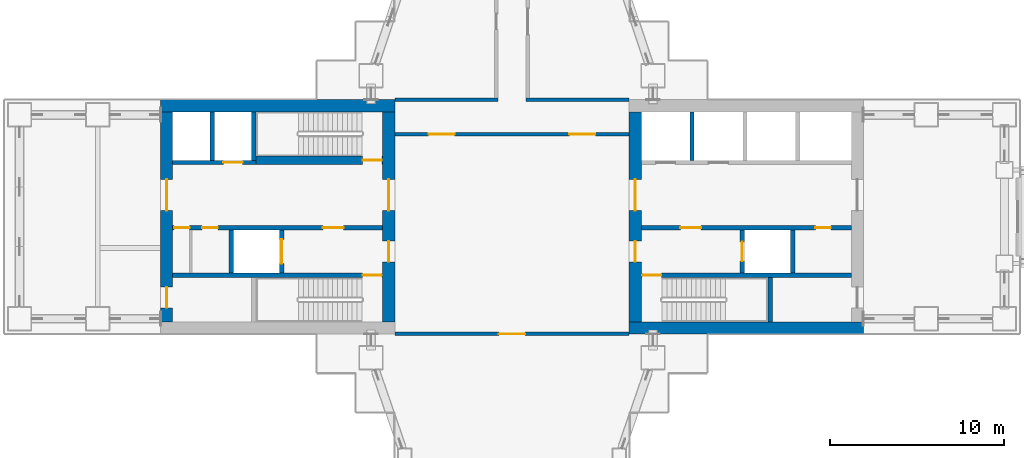
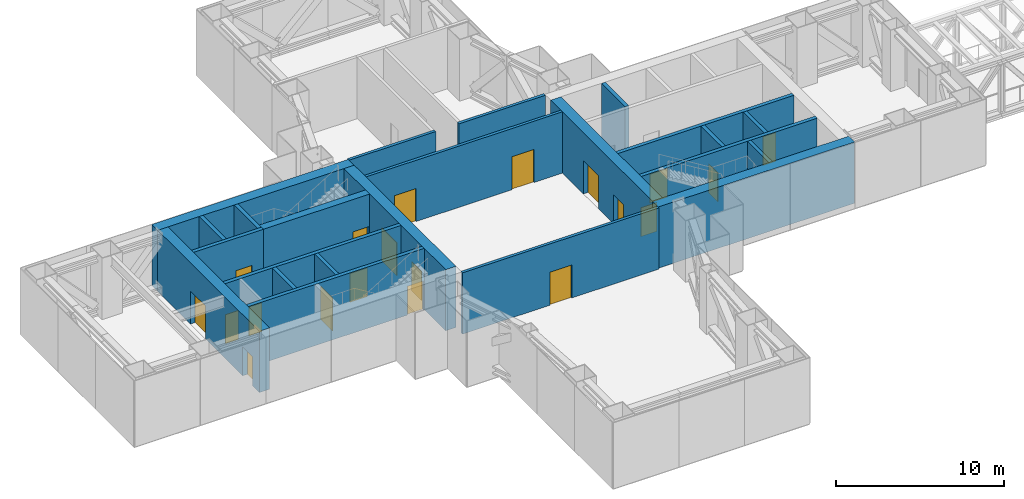
# One storey, part 11 of 23: 23 walls, 20 doors, 20 openings.
"""IFC4 building model written with IfcOpenShell, lengths in metres."""

from ifc_helpers import new_model, si_unit, direction, frame, frame_2d, origin, place, context, subcontext, project, spatial, rectangle, extrude, material, layer, layer_set, type_object, element, fill, save


model = new_model("IFC4")

# Units and contexts
model_context = context("Model", 3, precision=1e-05, world=origin(), true_north=direction((0.0, 1.0)))
body_context = subcontext(model_context, "Body", "Model", "MODEL_VIEW")
ifc_project = project(units=[si_unit("LENGTHUNIT", "METRE"), si_unit("AREAUNIT", "SQUARE_METRE"), si_unit("VOLUMEUNIT", "CUBIC_METRE"), si_unit("PLANEANGLEUNIT", "RADIAN"), si_unit("MASSUNIT", "GRAM", prefix="KILO")], contexts=[model_context])

# Site, building, storey
site_placement = place(None, origin())
site = spatial("IfcSite", under=ifc_project, at=site_placement, CompositionType="ELEMENT")
building_placement = place(site_placement, origin())
building = spatial("IfcBuilding", under=site, at=building_placement, Name="Shamsa Quay Exchange Towers", CompositionType="ELEMENT")
storey_placement = place(building_placement, frame((0.0, 0.0, 77.10009765625)))
storey = spatial("IfcBuildingStorey", under=building, at=storey_placement, Name="L17", CompositionType="ELEMENT", Elevation=77.10009765625)

# Wall
ifc_material_1 = material(Name="Concrete C80/95", Category="concrete")
ifc_layer_1 = layer(ifc_material_1, 0.699951171875)
ifc_layer_set_1 = layer_set([ifc_layer_1], Name="CORE WALL 700 C80/95")
wall_type_1 = type_object("IfcWallType", Name="CORE WALL 700 C80/95", PredefinedType="SHEAR", material=ifc_layer_set_1)
wall_1_placement = place(storey_placement, frame((-27.0, -6.39990234375, 0.0)))
element("IfcWall", 1, at=wall_1_placement, inside=storey, type_object=wall_type_1, Name="Core wall T1A-L17-PS", PredefinedType="SHEAR", context=body_context, shape_type="SweptSolid", body=[
    extrude(rectangle(XDim=13.5, YDim=0.699951171875, at=frame_2d((6.75, 0.0))), origin(), (0.0, 0.0, 1.0), 4.449951171875),
])

# Wall, openings, doors
wall_2_placement = place(storey_placement, frame((-26.64990234375, 6.050048828125, 0.0), z_axis=(0.0, 0.0, 1.0), x_axis=(0.0, -1.0, 0.0)))
wall_2 = element("IfcWall", 2, at=wall_2_placement, inside=storey, type_object=wall_type_1, Name="Core wall T1A-L17-PF", PredefinedType="SHEAR", context=body_context, shape_type="SweptSolid", body=[
    extrude(rectangle(XDim=12.10009765625, YDim=0.699951171875, at=frame_2d((6.050048828125, 0.0))), origin(), (0.0, 0.0, 1.0), 4.449951171875),
])
opening_1_placement = place(wall_2_placement, frame((7.449951171875, 0.0, 0.0)))
opening_1 = element("IfcOpeningElement", 3, at=opening_1_placement, cuts=wall_2, Name="Opening T1A-L17-FD01", PredefinedType="OPENING", context=body_context, shape_type="SweptSolid", body=[
    extrude(rectangle(XDim=1.199951171875, YDim=2.10009765625, at=frame_2d((0.60009765625, 1.050048828125))), frame((0.0, 0.35986328125, 0.0), z_axis=(0.0, -1.0, 0.0), x_axis=(1.0, 0.0, 0.0)), (0.0, 0.0, 1.0), 0.719970703125),
])
opening_2_placement = place(wall_2_placement, frame((3.89990234375, 0.0, 0.0)))
opening_2 = element("IfcOpeningElement", 4, at=opening_2_placement, cuts=wall_2, Name="Opening T1A-L17-LBD02", PredefinedType="OPENING", context=body_context, shape_type="SweptSolid", body=[
    extrude(rectangle(XDim=1.800048828125, YDim=2.39990234375, at=frame_2d((0.89990234375, 1.199951171875))), frame((0.0, 0.35986328125, 0.0), z_axis=(0.0, -1.0, 0.0), x_axis=(1.0, 0.0, 0.0)), (0.0, 0.0, 1.0), 0.719970703125),
])
ifc_material_2 = material(Name="Steel, fire rated", Category="steel")
door_type_1 = type_object("IfcDoorType", Name="FIRE SERVICE LOBBY DOOR 1200", OperationType="SINGLE_SWING_LEFT", PredefinedType="DOOR", material=ifc_material_2)
door_1_placement = place(opening_1_placement, origin())
door_1 = element("IfcDoor", 5, at=door_1_placement, inside=storey, type_object=door_type_1, Name="T1A-L17-FD01", OperationType="SINGLE_SWING_RIGHT", OverallHeight=2.10009765625, OverallWidth=1.199951171875, PredefinedType="DOOR", context=body_context, shape_type="SweptSolid", body=[
    extrude(rectangle(XDim=1.199951171875, YDim=2.10009765625, at=frame_2d((0.60009765625, 1.050048828125))), frame((0.0, 0.02490234375, 0.0), z_axis=(0.0, -1.0, 0.0), x_axis=(1.0, 0.0, 0.0)), (0.0, 0.0, 1.0), 0.050048828125),
])
fill(opening_1, door_1)
door_type_2 = type_object("IfcDoorType", Name="LIFT LOBBY DOOR PAIR 1800", OperationType="DOUBLE_DOOR_SINGLE_SWING", PredefinedType="DOOR", material=ifc_material_2)
door_2_placement = place(opening_2_placement, origin())
door_2 = element("IfcDoor", 6, at=door_2_placement, inside=storey, type_object=door_type_2, Name="T1A-L17-LBD02", OperationType="DOUBLE_DOOR_SINGLE_SWING", OverallHeight=2.39990234375, OverallWidth=1.800048828125, PredefinedType="DOOR", context=body_context, shape_type="SweptSolid", body=[
    extrude(rectangle(XDim=1.800048828125, YDim=2.39990234375, at=frame_2d((0.89990234375, 1.199951171875))), frame((0.0, 0.02490234375, 0.0), z_axis=(0.0, -1.0, 0.0), x_axis=(1.0, 0.0, 0.0)), (0.0, 0.0, 1.0), 0.050048828125),
])
fill(opening_2, door_2)

# Wall
wall_3_placement = place(storey_placement, frame((-40.5, 6.39990234375, 0.0), z_axis=(0.0, 0.0, 1.0), x_axis=(-1.0, 0.0, 0.0)))
element("IfcWall", 7, at=wall_3_placement, inside=storey, type_object=wall_type_1, Name="Core wall T1B-L17-PN", PredefinedType="SHEAR", context=body_context, shape_type="SweptSolid", body=[
    extrude(rectangle(XDim=13.5, YDim=0.699951171875, at=frame_2d((6.75, 0.0))), origin(), (0.0, 0.0, 1.0), 4.449951171875),
])

# Wall, openings, doors
wall_4_placement = place(storey_placement, frame((-40.85009765625, -6.050048828125, 0.0), z_axis=(0.0, 0.0, 1.0), x_axis=(0.0, 1.0, 0.0)))
wall_4 = element("IfcWall", 8, at=wall_4_placement, inside=storey, type_object=wall_type_1, Name="Core wall T1B-L17-PF", PredefinedType="SHEAR", context=body_context, shape_type="SweptSolid", body=[
    extrude(rectangle(XDim=12.10009765625, YDim=0.699951171875, at=frame_2d((6.050048828125, 0.0))), origin(), (0.0, 0.0, 1.0), 4.449951171875),
])
opening_3_placement = place(wall_4_placement, frame((3.449951171875, 0.0, 0.0)))
opening_3 = element("IfcOpeningElement", 9, at=opening_3_placement, cuts=wall_4, Name="Opening T1B-L17-FD01", PredefinedType="OPENING", context=body_context, shape_type="SweptSolid", body=[
    extrude(rectangle(XDim=1.199951171875, YDim=2.10009765625, at=frame_2d((0.60009765625, 1.050048828125))), frame((0.0, 0.35986328125, 0.0), z_axis=(0.0, -1.0, 0.0), x_axis=(1.0, 0.0, 0.0)), (0.0, 0.0, 1.0), 0.719970703125),
])
opening_4_placement = place(wall_4_placement, frame((6.39990234375, 0.0, 0.0)))
opening_4 = element("IfcOpeningElement", 10, at=opening_4_placement, cuts=wall_4, Name="Opening T1B-L17-LBD02", PredefinedType="OPENING", context=body_context, shape_type="SweptSolid", body=[
    extrude(rectangle(XDim=1.800048828125, YDim=2.39990234375, at=frame_2d((0.89990234375, 1.199951171875))), frame((0.0, 0.35986328125, 0.0), z_axis=(0.0, -1.0, 0.0), x_axis=(1.0, 0.0, 0.0)), (0.0, 0.0, 1.0), 0.719970703125),
])
door_3_placement = place(opening_3_placement, origin())
door_3 = element("IfcDoor", 11, at=door_3_placement, inside=storey, type_object=door_type_1, Name="T1B-L17-FD01", OperationType="SINGLE_SWING_LEFT", OverallHeight=2.10009765625, OverallWidth=1.199951171875, PredefinedType="DOOR", context=body_context, shape_type="SweptSolid", body=[
    extrude(rectangle(XDim=1.199951171875, YDim=2.10009765625, at=frame_2d((0.60009765625, 1.050048828125))), frame((0.0, 0.02490234375, 0.0), z_axis=(0.0, -1.0, 0.0), x_axis=(1.0, 0.0, 0.0)), (0.0, 0.0, 1.0), 0.050048828125),
])
fill(opening_3, door_3)
door_4_placement = place(opening_4_placement, origin())
door_4 = element("IfcDoor", 12, at=door_4_placement, inside=storey, type_object=door_type_2, Name="T1B-L17-LBD02", OperationType="DOUBLE_DOOR_SINGLE_SWING", OverallHeight=2.39990234375, OverallWidth=1.800048828125, PredefinedType="DOOR", context=body_context, shape_type="SweptSolid", body=[
    extrude(rectangle(XDim=1.800048828125, YDim=2.39990234375, at=frame_2d((0.89990234375, 1.199951171875))), frame((0.0, 0.02490234375, 0.0), z_axis=(0.0, -1.0, 0.0), x_axis=(1.0, 0.0, 0.0)), (0.0, 0.0, 1.0), 0.050048828125),
])
fill(opening_4, door_4)

wall_5_placement = place(storey_placement, frame((-53.64990234375, -6.050048828125, 0.0), z_axis=(0.0, 0.0, 1.0), x_axis=(0.0, 1.0, 0.0)))
wall_5 = element("IfcWall", 13, at=wall_5_placement, inside=storey, type_object=wall_type_1, Name="Core wall T1B-L17-PB", PredefinedType="SHEAR", context=body_context, shape_type="SweptSolid", body=[
    extrude(rectangle(XDim=12.10009765625, YDim=0.699951171875, at=frame_2d((6.050048828125, 0.0))), origin(), (0.0, 0.0, 1.0), 4.449951171875),
])
opening_5_placement = place(wall_5_placement, frame((0.800048828125, 0.0, 0.0)))
opening_5 = element("IfcOpeningElement", 14, at=opening_5_placement, cuts=wall_5, Name="Opening T1B-L17-RD03", PredefinedType="OPENING", context=body_context, shape_type="SweptSolid", body=[
    extrude(rectangle(XDim=1.199951171875, YDim=2.10009765625, at=frame_2d((0.60009765625, 1.050048828125))), frame((0.0, 0.35986328125, 0.0), z_axis=(0.0, -1.0, 0.0), x_axis=(1.0, 0.0, 0.0)), (0.0, 0.0, 1.0), 0.719970703125),
])
opening_6_placement = place(wall_5_placement, frame((6.39990234375, 0.0, 0.0)))
opening_6 = element("IfcOpeningElement", 15, at=opening_6_placement, cuts=wall_5, Name="Opening T1B-L17-LBD04", PredefinedType="OPENING", context=body_context, shape_type="SweptSolid", body=[
    extrude(rectangle(XDim=1.800048828125, YDim=2.39990234375, at=frame_2d((0.89990234375, 1.199951171875))), frame((0.0, 0.35986328125, 0.0), z_axis=(0.0, -1.0, 0.0), x_axis=(1.0, 0.0, 0.0)), (0.0, 0.0, 1.0), 0.719970703125),
])
door_5_placement = place(opening_6_placement, origin())
door_5 = element("IfcDoor", 16, at=door_5_placement, inside=storey, type_object=door_type_2, Name="T1B-L17-LBD04", OperationType="DOUBLE_DOOR_SINGLE_SWING", OverallHeight=2.39990234375, OverallWidth=1.800048828125, PredefinedType="DOOR", context=body_context, shape_type="SweptSolid", body=[
    extrude(rectangle(XDim=1.800048828125, YDim=2.39990234375, at=frame_2d((0.89990234375, 1.199951171875))), frame((0.0, 0.02490234375, 0.0), z_axis=(0.0, -1.0, 0.0), x_axis=(1.0, 0.0, 0.0)), (0.0, 0.0, 1.0), 0.050048828125),
])
fill(opening_6, door_5)
door_type_3 = type_object("IfcDoorType", Name="RISER ACCESS DOOR 1200", OperationType="SINGLE_SWING_LEFT", PredefinedType="DOOR", material=ifc_material_2)
door_6_placement = place(opening_5_placement, origin())
door_6 = element("IfcDoor", 17, at=door_6_placement, inside=storey, type_object=door_type_3, Name="T1B-L17-RD03", OperationType="SINGLE_SWING_LEFT", OverallHeight=2.10009765625, OverallWidth=1.199951171875, PredefinedType="DOOR", context=body_context, shape_type="SweptSolid", body=[
    extrude(rectangle(XDim=1.199951171875, YDim=2.10009765625, at=frame_2d((0.60009765625, 1.050048828125))), frame((0.0, 0.02490234375, 0.0), z_axis=(0.0, -1.0, 0.0), x_axis=(1.0, 0.0, 0.0)), (0.0, 0.0, 1.0), 0.050048828125),
])
fill(opening_5, door_6)

ifc_material_3 = material(Name="Gypsum board partition on metal studs")
ifc_layer_2 = layer(ifc_material_3, 0.199951171875)
ifc_layer_set_2 = layer_set([ifc_layer_2], Name="Partition 200 mm EI 120")
wall_type_2 = type_object("IfcWallType", Name="Partition 200 mm EI 120", PredefinedType="PARTITIONING", material=ifc_layer_set_2)
wall_6_placement = place(storey_placement, frame((-40.5, 4.75, 0.0)))
wall_6 = element("IfcWall", 18, at=wall_6_placement, inside=storey, type_object=wall_type_2, Name="Partition T1-L17-W01", PredefinedType="PARTITIONING", context=body_context, shape_type="SweptSolid", body=[
    extrude(rectangle(XDim=13.5, YDim=0.199951171875, at=frame_2d((6.75, 0.0))), origin(), (0.0, 0.0, 1.0), 4.449951171875),
])
opening_7_placement = place(wall_6_placement, frame((1.949951171875, 0.0, 0.0)))
opening_7 = element("IfcOpeningElement", 19, at=opening_7_placement, cuts=wall_6, Name="Opening T1-L17-D02", PredefinedType="OPENING", context=body_context, shape_type="SweptSolid", body=[
    extrude(rectangle(XDim=1.5, YDim=2.39990234375, at=frame_2d((0.75, 1.199951171875))), frame((0.0, 0.10986328125, 0.0), z_axis=(0.0, -1.0, 0.0), x_axis=(1.0, 0.0, 0.0)), (0.0, 0.0, 1.0), 0.219970703125),
])
opening_8_placement = place(wall_6_placement, frame((10.050048828125, 0.0, 0.0)))
opening_8 = element("IfcOpeningElement", 20, at=opening_8_placement, cuts=wall_6, Name="Opening T1-L17-D03", PredefinedType="OPENING", context=body_context, shape_type="SweptSolid", body=[
    extrude(rectangle(XDim=1.5, YDim=2.39990234375, at=frame_2d((0.75, 1.199951171875))), frame((0.0, 0.10986328125, 0.0), z_axis=(0.0, -1.0, 0.0), x_axis=(1.0, 0.0, 0.0)), (0.0, 0.0, 1.0), 0.219970703125),
])
ifc_material_4 = material(Name="Timber door leaf in a metal frame", Category="wood")
door_type_4 = type_object("IfcDoorType", Name="Door 1500x2400 FD60 pair", OperationType="NOTDEFINED", PredefinedType="DOOR", material=ifc_material_4)
door_7_placement = place(opening_7_placement, origin())
door_7 = element("IfcDoor", 21, at=door_7_placement, inside=storey, type_object=door_type_4, Name="Door T1-L17-D02", OperationType="DOUBLE_DOOR_SINGLE_SWING", OverallHeight=2.39990234375, OverallWidth=1.5, PredefinedType="DOOR", context=body_context, shape_type="SweptSolid", body=[
    extrude(rectangle(XDim=1.5, YDim=2.39990234375, at=frame_2d((0.75, 1.199951171875))), frame((0.0, 0.02490234375, 0.0), z_axis=(0.0, -1.0, 0.0), x_axis=(1.0, 0.0, 0.0)), (0.0, 0.0, 1.0), 0.050048828125),
])
fill(opening_7, door_7)
door_8_placement = place(opening_8_placement, origin())
door_8 = element("IfcDoor", 22, at=door_8_placement, inside=storey, type_object=door_type_4, Name="Door T1-L17-D03", OperationType="DOUBLE_DOOR_SINGLE_SWING", OverallHeight=2.39990234375, OverallWidth=1.5, PredefinedType="DOOR", context=body_context, shape_type="SweptSolid", body=[
    extrude(rectangle(XDim=1.5, YDim=2.39990234375, at=frame_2d((0.75, 1.199951171875))), frame((0.0, 0.02490234375, 0.0), z_axis=(0.0, -1.0, 0.0), x_axis=(1.0, 0.0, 0.0)), (0.0, 0.0, 1.0), 0.050048828125),
])
fill(opening_8, door_8)

# Wall
wall_7_placement = place(storey_placement, frame((-32.94970703125, 6.75, 0.0)))
element("IfcWall", 23, at=wall_7_placement, inside=storey, type_object=wall_type_2, Name="Partition T1-L17-W03", PredefinedType="PARTITIONING", context=body_context, shape_type="SweptSolid", body=[
    extrude(rectangle(XDim=5.94970703125, YDim=0.199951171875, at=frame_2d((2.974853515625, 0.0))), origin(), (0.0, 0.0, 1.0), 4.449951171875),
])

# Wall, opening, door
wall_8_placement = place(storey_placement, frame((-40.5, -6.75, 0.0)))
wall_8 = element("IfcWall", 24, at=wall_8_placement, inside=storey, type_object=wall_type_2, Name="Partition T1-L17-W07", PredefinedType="PARTITIONING", context=body_context, shape_type="SweptSolid", body=[
    extrude(rectangle(XDim=13.5, YDim=0.199951171875, at=frame_2d((6.75, 0.0))), origin(), (0.0, 0.0, 1.0), 4.449951171875),
])
opening_9_placement = place(wall_8_placement, frame((6.0, 0.0, 0.0)))
opening_9 = element("IfcOpeningElement", 25, at=opening_9_placement, cuts=wall_8, Name="Opening T1-L17-D01", PredefinedType="OPENING", context=body_context, shape_type="SweptSolid", body=[
    extrude(rectangle(XDim=1.5, YDim=2.39990234375, at=frame_2d((0.75, 1.199951171875))), frame((0.0, 0.10986328125, 0.0), z_axis=(0.0, -1.0, 0.0), x_axis=(1.0, 0.0, 0.0)), (0.0, 0.0, 1.0), 0.219970703125),
])
door_9_placement = place(opening_9_placement, origin())
door_9 = element("IfcDoor", 26, at=door_9_placement, inside=storey, type_object=door_type_4, Name="Door T1-L17-D01", OperationType="DOUBLE_DOOR_SINGLE_SWING", OverallHeight=2.39990234375, OverallWidth=1.5, PredefinedType="DOOR", context=body_context, shape_type="SweptSolid", body=[
    extrude(rectangle(XDim=1.5, YDim=2.39990234375, at=frame_2d((0.75, 1.199951171875))), frame((0.0, 0.02490234375, 0.0), z_axis=(0.0, -1.0, 0.0), x_axis=(1.0, 0.0, 0.0)), (0.0, 0.0, 1.0), 0.050048828125),
])
fill(opening_9, door_9)

# Wall
ifc_layer_3 = layer(ifc_material_3, 0.199951171875)
ifc_layer_set_3 = layer_set([ifc_layer_3], Name="Partition 200 mm EI 90")
wall_type_3 = type_object("IfcWallType", Name="Partition 200 mm EI 90", PredefinedType="PARTITIONING", material=ifc_layer_set_3)
wall_9_placement = place(storey_placement, frame((-40.5, 6.75, 0.0)))
element("IfcWall", 27, at=wall_9_placement, inside=storey, type_object=wall_type_3, Name="Partition T1-L17-W04", PredefinedType="PARTITIONING", context=body_context, shape_type="SweptSolid", body=[
    extrude(rectangle(XDim=5.94970703125, YDim=0.199951171875, at=frame_2d((2.974853515625, 0.0))), origin(), (0.0, 0.0, 1.0), 4.449951171875),
])

# Wall, opening, door
ifc_material_5 = material(Name="Concrete C50/60", Category="concrete")
ifc_layer_4 = layer(ifc_material_5, 0.25)
ifc_layer_set_4 = layer_set([ifc_layer_4], Name="SHAFT WALL 250 C50/60")
wall_type_4 = type_object("IfcWallType", Name="SHAFT WALL 250 C50/60", PredefinedType="SHEAR", material=ifc_layer_set_4)
wall_10_placement = place(storey_placement, frame((-14.199951171875, -3.375, 0.0), z_axis=(0.0, 0.0, 1.0), x_axis=(-1.0, 0.0, 0.0)))
wall_10 = element("IfcWall", 28, at=wall_10_placement, inside=storey, type_object=wall_type_4, Name="Shaft wall T1A-L17-STL", PredefinedType="SHEAR", context=body_context, shape_type="SweptSolid", body=[
    extrude(rectangle(XDim=12.10009765625, YDim=0.25, at=frame_2d((6.050048828125, 0.0))), origin(), (0.0, 0.0, 1.0), 4.449951171875),
])
opening_10_placement = place(wall_10_placement, frame((10.949951171875, 0.0, 0.0)))
opening_10 = element("IfcOpeningElement", 29, at=opening_10_placement, cuts=wall_10, Name="Opening T1A-L17-SD05", PredefinedType="OPENING", context=body_context, shape_type="SweptSolid", body=[
    extrude(rectangle(XDim=1.10009765625, YDim=2.10009765625, at=frame_2d((0.550048828125, 1.050048828125))), frame((0.0, 0.135009765625, 0.0), z_axis=(0.0, -1.0, 0.0), x_axis=(1.0, 0.0, 0.0)), (0.0, 0.0, 1.0), 0.27001953125),
])
door_type_5 = type_object("IfcDoorType", Name="STAIR DOOR 1100", OperationType="SINGLE_SWING_LEFT", PredefinedType="DOOR", material=ifc_material_2)
door_10_placement = place(opening_10_placement, origin())
door_10 = element("IfcDoor", 30, at=door_10_placement, inside=storey, type_object=door_type_5, Name="T1A-L17-SD05", OperationType="SINGLE_SWING_RIGHT", OverallHeight=2.10009765625, OverallWidth=1.10009765625, PredefinedType="DOOR", context=body_context, shape_type="SweptSolid", body=[
    extrude(rectangle(XDim=1.10009765625, YDim=2.10009765625, at=frame_2d((0.550048828125, 1.050048828125))), frame((0.0, 0.02490234375, 0.0), z_axis=(0.0, -1.0, 0.0), x_axis=(1.0, 0.0, 0.0)), (0.0, 0.0, 1.0), 0.050048828125),
])
fill(opening_10, door_10)

# Wall
wall_11_placement = place(storey_placement, frame((-18.875, -6.050048828125, 0.0), z_axis=(0.0, 0.0, 1.0), x_axis=(0.0, 1.0, 0.0)))
element("IfcWall", 31, at=wall_11_placement, inside=storey, type_object=wall_type_4, Name="Shaft wall T1A-L17-STF", PredefinedType="SHEAR", context=body_context, shape_type="SweptSolid", body=[
    extrude(rectangle(XDim=2.550048828125, YDim=0.25, at=frame_2d((1.27490234375, 0.0))), origin(), (0.0, 0.0, 1.0), 4.449951171875),
])

# Wall, openings, doors
wall_12_placement = place(storey_placement, frame((-14.199951171875, -0.625, 0.0), z_axis=(0.0, 0.0, 1.0), x_axis=(-1.0, 0.0, 0.0)))
wall_12 = element("IfcWall", 32, at=wall_12_placement, inside=storey, type_object=wall_type_4, Name="Shaft wall T1A-L17-B", PredefinedType="SHEAR", context=body_context, shape_type="SweptSolid", body=[
    extrude(rectangle(XDim=12.10009765625, YDim=0.25, at=frame_2d((6.050048828125, 0.0))), origin(), (0.0, 0.0, 1.0), 4.449951171875),
])
opening_11_placement = place(wall_12_placement, frame((8.64990234375, 0.0, 0.0)))
opening_11 = element("IfcOpeningElement", 33, at=opening_11_placement, cuts=wall_12, Name="Opening T1A-L17-FD06", PredefinedType="OPENING", context=body_context, shape_type="SweptSolid", body=[
    extrude(rectangle(XDim=1.199951171875, YDim=2.10009765625, at=frame_2d((0.60009765625, 1.050048828125))), frame((0.0, 0.135009765625, 0.0), z_axis=(0.0, -1.0, 0.0), x_axis=(1.0, 0.0, 0.0)), (0.0, 0.0, 1.0), 0.27001953125),
])
opening_12_placement = place(wall_12_placement, frame((1.175048828125, 0.0, 0.0)))
opening_12 = element("IfcOpeningElement", 34, at=opening_12_placement, cuts=wall_12, Name="Opening T1A-L17-SV07", PredefinedType="OPENING", context=body_context, shape_type="SweptSolid", body=[
    extrude(rectangle(XDim=0.89990234375, YDim=2.10009765625, at=frame_2d((0.449951171875, 1.050048828125))), frame((0.0, 0.135009765625, 0.0), z_axis=(0.0, -1.0, 0.0), x_axis=(1.0, 0.0, 0.0)), (0.0, 0.0, 1.0), 0.27001953125),
])
door_11_placement = place(opening_11_placement, origin())
door_11 = element("IfcDoor", 35, at=door_11_placement, inside=storey, type_object=door_type_1, Name="T1A-L17-FD06", OperationType="SINGLE_SWING_RIGHT", OverallHeight=2.10009765625, OverallWidth=1.199951171875, PredefinedType="DOOR", context=body_context, shape_type="SweptSolid", body=[
    extrude(rectangle(XDim=1.199951171875, YDim=2.10009765625, at=frame_2d((0.60009765625, 1.050048828125))), frame((0.0, 0.02490234375, 0.0), z_axis=(0.0, -1.0, 0.0), x_axis=(1.0, 0.0, 0.0)), (0.0, 0.0, 1.0), 0.050048828125),
])
fill(opening_11, door_11)
door_type_6 = type_object("IfcDoorType", Name="SERVICE ROOM DOOR 900", OperationType="SINGLE_SWING_LEFT", PredefinedType="DOOR", material=ifc_material_2)
door_12_placement = place(opening_12_placement, origin())
door_12 = element("IfcDoor", 36, at=door_12_placement, inside=storey, type_object=door_type_6, Name="T1A-L17-SV07", OperationType="SINGLE_SWING_LEFT", OverallHeight=2.10009765625, OverallWidth=0.89990234375, PredefinedType="DOOR", context=body_context, shape_type="SweptSolid", body=[
    extrude(rectangle(XDim=0.89990234375, YDim=2.10009765625, at=frame_2d((0.449951171875, 1.050048828125))), frame((0.0, 0.02490234375, 0.0), z_axis=(0.0, -1.0, 0.0), x_axis=(1.0, 0.0, 0.0)), (0.0, 0.0, 1.0), 0.050048828125),
])
fill(opening_12, door_12)

# Wall, opening, door
wall_13_placement = place(storey_placement, frame((-20.47509765625, -3.25, 0.0), z_axis=(0.0, 0.0, 1.0), x_axis=(0.0, 1.0, 0.0)))
wall_13 = element("IfcWall", 37, at=wall_13_placement, inside=storey, type_object=wall_type_4, Name="Shaft wall T1A-L17-FFF", PredefinedType="SHEAR", context=body_context, shape_type="SweptSolid", body=[
    extrude(rectangle(XDim=2.5, YDim=0.25, at=frame_2d((1.25, 0.0))), origin(), (0.0, 0.0, 1.0), 4.449951171875),
])
opening_13_placement = place(wall_13_placement, frame((0.699951171875, 0.0, 0.0)))
opening_13 = element("IfcOpeningElement", 38, at=opening_13_placement, cuts=wall_13, Name="Opening T1A-L17-LDF08", PredefinedType="OPENING", context=body_context, shape_type="SweptSolid", body=[
    extrude(rectangle(XDim=1.10009765625, YDim=2.10009765625, at=frame_2d((0.550048828125, 1.050048828125))), frame((0.0, 0.135009765625, 0.0), z_axis=(0.0, -1.0, 0.0), x_axis=(1.0, 0.0, 0.0)), (0.0, 0.0, 1.0), 0.27001953125),
])
door_type_7 = type_object("IfcDoorType", Name="FIRE SERVICE LANDING DOOR 1100", OperationType="SLIDING_TO_LEFT", PredefinedType="DOOR", material=ifc_material_2)
door_13_placement = place(opening_13_placement, origin())
door_13 = element("IfcDoor", 39, at=door_13_placement, inside=storey, type_object=door_type_7, Name="T1A-L17-LDF08", OperationType="SLIDING_TO_LEFT", OverallHeight=2.10009765625, OverallWidth=1.10009765625, PredefinedType="DOOR", context=body_context, shape_type="SweptSolid", body=[
    extrude(rectangle(XDim=1.10009765625, YDim=2.10009765625, at=frame_2d((0.550048828125, 1.050048828125))), frame((0.0, 0.02490234375, 0.0), z_axis=(0.0, -1.0, 0.0), x_axis=(1.0, 0.0, 0.0)), (0.0, 0.0, 1.0), 0.050048828125),
])
fill(opening_13, door_13)

# Walls
wall_14_placement = place(storey_placement, frame((-17.574951171875, -3.25, 0.0), z_axis=(0.0, 0.0, 1.0), x_axis=(0.0, 1.0, 0.0)))
element("IfcWall", 40, at=wall_14_placement, inside=storey, type_object=wall_type_4, Name="Shaft wall T1A-L17-FFB", PredefinedType="SHEAR", context=body_context, shape_type="SweptSolid", body=[
    extrude(rectangle(XDim=2.5, YDim=0.25, at=frame_2d((1.25, 0.0))), origin(), (0.0, 0.0, 1.0), 4.449951171875),
])
wall_15_placement = place(storey_placement, frame((-23.375, 3.25, 0.0), z_axis=(0.0, 0.0, 1.0), x_axis=(0.0, 1.0, 0.0)))
element("IfcWall", 41, at=wall_15_placement, inside=storey, type_object=wall_type_4, Name="Shaft wall T1A-L17-D0", PredefinedType="SHEAR", context=body_context, shape_type="SweptSolid", body=[
    extrude(rectangle(XDim=2.800048828125, YDim=0.25, at=frame_2d((1.39990234375, 0.0))), origin(), (0.0, 0.0, 1.0), 4.449951171875),
])

# Wall, opening, door
wall_16_placement = place(storey_placement, frame((-41.199951171875, -3.375, 0.0), z_axis=(0.0, 0.0, 1.0), x_axis=(-1.0, 0.0, 0.0)))
wall_16 = element("IfcWall", 42, at=wall_16_placement, inside=storey, type_object=wall_type_4, Name="Shaft wall T1B-L17-STL", PredefinedType="SHEAR", context=body_context, shape_type="SweptSolid", body=[
    extrude(rectangle(XDim=12.10009765625, YDim=0.25, at=frame_2d((6.050048828125, 0.0))), origin(), (0.0, 0.0, 1.0), 4.449951171875),
])
opening_14_placement = place(wall_16_placement, frame((0.050048828125, 0.0, 0.0)))
opening_14 = element("IfcOpeningElement", 43, at=opening_14_placement, cuts=wall_16, Name="Opening T1B-L17-SD05", PredefinedType="OPENING", context=body_context, shape_type="SweptSolid", body=[
    extrude(rectangle(XDim=1.10009765625, YDim=2.10009765625, at=frame_2d((0.550048828125, 1.050048828125))), frame((0.0, 0.135009765625, 0.0), z_axis=(0.0, -1.0, 0.0), x_axis=(1.0, 0.0, 0.0)), (0.0, 0.0, 1.0), 0.27001953125),
])
door_14_placement = place(opening_14_placement, origin())
door_14 = element("IfcDoor", 44, at=door_14_placement, inside=storey, type_object=door_type_5, Name="T1B-L17-SD05", OperationType="SINGLE_SWING_LEFT", OverallHeight=2.10009765625, OverallWidth=1.10009765625, PredefinedType="DOOR", context=body_context, shape_type="SweptSolid", body=[
    extrude(rectangle(XDim=1.10009765625, YDim=2.10009765625, at=frame_2d((0.550048828125, 1.050048828125))), frame((0.0, 0.02490234375, 0.0), z_axis=(0.0, -1.0, 0.0), x_axis=(1.0, 0.0, 0.0)), (0.0, 0.0, 1.0), 0.050048828125),
])
fill(opening_14, door_14)

# Wall, openings, doors
wall_17_placement = place(storey_placement, frame((-41.199951171875, -0.625, 0.0), z_axis=(0.0, 0.0, 1.0), x_axis=(-1.0, 0.0, 0.0)))
wall_17 = element("IfcWall", 45, at=wall_17_placement, inside=storey, type_object=wall_type_4, Name="Shaft wall T1B-L17-B", PredefinedType="SHEAR", context=body_context, shape_type="SweptSolid", body=[
    extrude(rectangle(XDim=12.10009765625, YDim=0.25, at=frame_2d((6.050048828125, 0.0))), origin(), (0.0, 0.0, 1.0), 4.449951171875),
])
opening_15_placement = place(wall_17_placement, frame((2.25, 0.0, 0.0)))
opening_15 = element("IfcOpeningElement", 46, at=opening_15_placement, cuts=wall_17, Name="Opening T1B-L17-FD06", PredefinedType="OPENING", context=body_context, shape_type="SweptSolid", body=[
    extrude(rectangle(XDim=1.199951171875, YDim=2.10009765625, at=frame_2d((0.60009765625, 1.050048828125))), frame((0.0, 0.135009765625, 0.0), z_axis=(0.0, -1.0, 0.0), x_axis=(1.0, 0.0, 0.0)), (0.0, 0.0, 1.0), 0.27001953125),
])
opening_16_placement = place(wall_17_placement, frame((9.5, 0.0, 0.0)))
opening_16 = element("IfcOpeningElement", 47, at=opening_16_placement, cuts=wall_17, Name="Opening T1B-L17-SV07", PredefinedType="OPENING", context=body_context, shape_type="SweptSolid", body=[
    extrude(rectangle(XDim=0.89990234375, YDim=2.10009765625, at=frame_2d((0.449951171875, 1.050048828125))), frame((0.0, 0.135009765625, 0.0), z_axis=(0.0, -1.0, 0.0), x_axis=(1.0, 0.0, 0.0)), (0.0, 0.0, 1.0), 0.27001953125),
])
opening_17_placement = place(wall_17_placement, frame((11.125, 0.0, 0.0)))
opening_17 = element("IfcOpeningElement", 48, at=opening_17_placement, cuts=wall_17, Name="Opening T1B-L17-SV08", PredefinedType="OPENING", context=body_context, shape_type="SweptSolid", body=[
    extrude(rectangle(XDim=0.89990234375, YDim=2.10009765625, at=frame_2d((0.449951171875, 1.050048828125))), frame((0.0, 0.135009765625, 0.0), z_axis=(0.0, -1.0, 0.0), x_axis=(1.0, 0.0, 0.0)), (0.0, 0.0, 1.0), 0.27001953125),
])
door_15_placement = place(opening_15_placement, origin())
door_15 = element("IfcDoor", 49, at=door_15_placement, inside=storey, type_object=door_type_1, Name="T1B-L17-FD06", OperationType="SINGLE_SWING_LEFT", OverallHeight=2.10009765625, OverallWidth=1.199951171875, PredefinedType="DOOR", context=body_context, shape_type="SweptSolid", body=[
    extrude(rectangle(XDim=1.199951171875, YDim=2.10009765625, at=frame_2d((0.60009765625, 1.050048828125))), frame((0.0, 0.02490234375, 0.0), z_axis=(0.0, -1.0, 0.0), x_axis=(1.0, 0.0, 0.0)), (0.0, 0.0, 1.0), 0.050048828125),
])
fill(opening_15, door_15)
door_16_placement = place(opening_16_placement, origin())
door_16 = element("IfcDoor", 50, at=door_16_placement, inside=storey, type_object=door_type_6, Name="T1B-L17-SV07", OperationType="SINGLE_SWING_RIGHT", OverallHeight=2.10009765625, OverallWidth=0.89990234375, PredefinedType="DOOR", context=body_context, shape_type="SweptSolid", body=[
    extrude(rectangle(XDim=0.89990234375, YDim=2.10009765625, at=frame_2d((0.449951171875, 1.050048828125))), frame((0.0, 0.02490234375, 0.0), z_axis=(0.0, -1.0, 0.0), x_axis=(1.0, 0.0, 0.0)), (0.0, 0.0, 1.0), 0.050048828125),
])
fill(opening_16, door_16)
door_17_placement = place(opening_17_placement, origin())
door_17 = element("IfcDoor", 51, at=door_17_placement, inside=storey, type_object=door_type_6, Name="T1B-L17-SV08", OperationType="SINGLE_SWING_RIGHT", OverallHeight=2.10009765625, OverallWidth=0.89990234375, PredefinedType="DOOR", context=body_context, shape_type="SweptSolid", body=[
    extrude(rectangle(XDim=0.89990234375, YDim=2.10009765625, at=frame_2d((0.449951171875, 1.050048828125))), frame((0.0, 0.02490234375, 0.0), z_axis=(0.0, -1.0, 0.0), x_axis=(1.0, 0.0, 0.0)), (0.0, 0.0, 1.0), 0.050048828125),
])
fill(opening_17, door_17)

# Wall, opening, door
wall_18_placement = place(storey_placement, frame((-47.02490234375, -3.25, 0.0), z_axis=(0.0, 0.0, 1.0), x_axis=(0.0, 1.0, 0.0)))
wall_18 = element("IfcWall", 52, at=wall_18_placement, inside=storey, type_object=wall_type_4, Name="Shaft wall T1B-L17-FFF", PredefinedType="SHEAR", context=body_context, shape_type="SweptSolid", body=[
    extrude(rectangle(XDim=2.5, YDim=0.25, at=frame_2d((1.25, 0.0))), origin(), (0.0, 0.0, 1.0), 4.449951171875),
])
opening_18_placement = place(wall_18_placement, frame((0.550048828125, 0.0, 0.0)))
opening_18 = element("IfcOpeningElement", 53, at=opening_18_placement, cuts=wall_18, Name="Opening T1B-L17-LDG09", PredefinedType="OPENING", context=body_context, shape_type="SweptSolid", body=[
    extrude(rectangle(XDim=1.39990234375, YDim=2.39990234375, at=frame_2d((0.699951171875, 1.199951171875))), frame((0.0, 0.135009765625, 0.0), z_axis=(0.0, -1.0, 0.0), x_axis=(1.0, 0.0, 0.0)), (0.0, 0.0, 1.0), 0.27001953125),
])
door_type_8 = type_object("IfcDoorType", Name="GOODS LIFT LANDING DOOR 1400", OperationType="SLIDING_TO_LEFT", PredefinedType="DOOR", material=ifc_material_2)
door_18_placement = place(opening_18_placement, origin())
door_18 = element("IfcDoor", 54, at=door_18_placement, inside=storey, type_object=door_type_8, Name="T1B-L17-LDG09", OperationType="SLIDING_TO_LEFT", OverallHeight=2.39990234375, OverallWidth=1.39990234375, PredefinedType="DOOR", context=body_context, shape_type="SweptSolid", body=[
    extrude(rectangle(XDim=1.39990234375, YDim=2.39990234375, at=frame_2d((0.699951171875, 1.199951171875))), frame((0.0, 0.02490234375, 0.0), z_axis=(0.0, -1.0, 0.0), x_axis=(1.0, 0.0, 0.0)), (0.0, 0.0, 1.0), 0.050048828125),
])
fill(opening_18, door_18)

# Wall
wall_19_placement = place(storey_placement, frame((-49.925048828125, -3.25, 0.0), z_axis=(0.0, 0.0, 1.0), x_axis=(0.0, 1.0, 0.0)))
element("IfcWall", 55, at=wall_19_placement, inside=storey, type_object=wall_type_4, Name="Shaft wall T1B-L17-FFB", PredefinedType="SHEAR", context=body_context, shape_type="SweptSolid", body=[
    extrude(rectangle(XDim=2.5, YDim=0.25, at=frame_2d((1.25, 0.0))), origin(), (0.0, 0.0, 1.0), 4.449951171875),
])

# Wall, opening, door
wall_20_placement = place(storey_placement, frame((-48.5, 3.125, 0.0), z_axis=(0.0, 0.0, 1.0), x_axis=(-1.0, 0.0, 0.0)))
wall_20 = element("IfcWall", 56, at=wall_20_placement, inside=storey, type_object=wall_type_4, Name="Shaft wall T1B-L17-N2", PredefinedType="SHEAR", context=body_context, shape_type="SweptSolid", body=[
    extrude(rectangle(XDim=4.800048828125, YDim=0.25, at=frame_2d((2.39990234375, 0.0))), origin(), (0.0, 0.0, 1.0), 4.449951171875),
])
opening_19_placement = place(wall_20_placement, frame((0.77490234375, 0.0, 0.0)))
opening_19 = element("IfcOpeningElement", 57, at=opening_19_placement, cuts=wall_20, Name="Opening T1B-L17-LD11", PredefinedType="OPENING", context=body_context, shape_type="SweptSolid", body=[
    extrude(rectangle(XDim=1.10009765625, YDim=2.10009765625, at=frame_2d((0.550048828125, 1.050048828125))), frame((0.0, 0.135009765625, 0.0), z_axis=(0.0, -1.0, 0.0), x_axis=(1.0, 0.0, 0.0)), (0.0, 0.0, 1.0), 0.27001953125),
])
door_type_9 = type_object("IfcDoorType", Name="LANDING DOOR 1100", OperationType="SLIDING_TO_LEFT", PredefinedType="DOOR", material=ifc_material_2)
door_19_placement = place(opening_19_placement, origin())
door_19 = element("IfcDoor", 58, at=door_19_placement, inside=storey, type_object=door_type_9, Name="T1B-L17-LD11", OperationType="SLIDING_TO_LEFT", OverallHeight=2.10009765625, OverallWidth=1.10009765625, PredefinedType="DOOR", context=body_context, shape_type="SweptSolid", body=[
    extrude(rectangle(XDim=1.10009765625, YDim=2.10009765625, at=frame_2d((0.550048828125, 1.050048828125))), frame((0.0, 0.02490234375, 0.0), z_axis=(0.0, -1.0, 0.0), x_axis=(1.0, 0.0, 0.0)), (0.0, 0.0, 1.0), 0.050048828125),
])
fill(opening_19, door_19)

# Walls
for number, where, z_axis, x_axis, name in (
    (59, (-48.625, 3.25, 0.0), (0.0, 0.0, 1.0), (0.0, 1.0, 0.0), "Shaft wall T1B-L17-STF2"),
    (60, (-51.02490234375, 3.25, 0.0), (0.0, 0.0, 1.0), (0.0, 1.0, 0.0), "Shaft wall T1B-L17-D0"),
):
    element("IfcWall", number, at=place(storey_placement, frame(where, z_axis=z_axis, x_axis=x_axis)), inside=storey, type_object=wall_type_4, Name=name, PredefinedType="SHEAR", context=body_context, shape_type="SweptSolid", body=[
        extrude(rectangle(XDim=2.800048828125, YDim=0.25, at=frame_2d((1.39990234375, 0.0))), origin(), (0.0, 0.0, 1.0), 4.449951171875),
    ])

# Wall, opening, door
ifc_layer_5 = layer(ifc_material_5, 0.5)
ifc_layer_set_5 = layer_set([ifc_layer_5], Name="SHAFT WALL 500 C50/60")
wall_type_5 = type_object("IfcWallType", Name="SHAFT WALL 500 C50/60", PredefinedType="SHEAR", material=ifc_layer_set_5)
wall_21_placement = place(storey_placement, frame((-48.5, 3.25, 0.0)))
wall_21 = element("IfcWall", 61, at=wall_21_placement, inside=storey, type_object=wall_type_5, Name="Shaft wall T1B-L17-N", PredefinedType="SHEAR", context=body_context, shape_type="SweptSolid", body=[
    extrude(rectangle(XDim=7.300048828125, YDim=0.5, at=frame_2d((3.64990234375, 0.0))), origin(), (0.0, 0.0, 1.0), 4.449951171875),
])
opening_20_placement = place(wall_21_placement, frame((6.14990234375, 0.0, 0.0)))
opening_20 = element("IfcOpeningElement", 62, at=opening_20_placement, cuts=wall_21, Name="Opening T1B-L17-SD10", PredefinedType="OPENING", context=body_context, shape_type="SweptSolid", body=[
    extrude(rectangle(XDim=1.10009765625, YDim=2.10009765625, at=frame_2d((0.550048828125, 1.050048828125))), frame((0.0, 0.260009765625, 0.0), z_axis=(0.0, -1.0, 0.0), x_axis=(1.0, 0.0, 0.0)), (0.0, 0.0, 1.0), 0.52001953125),
])
door_20_placement = place(opening_20_placement, origin())
door_20 = element("IfcDoor", 63, at=door_20_placement, inside=storey, type_object=door_type_5, Name="T1B-L17-SD10", OperationType="SINGLE_SWING_RIGHT", OverallHeight=2.10009765625, OverallWidth=1.10009765625, PredefinedType="DOOR", context=body_context, shape_type="SweptSolid", body=[
    extrude(rectangle(XDim=1.10009765625, YDim=2.10009765625, at=frame_2d((0.550048828125, 1.050048828125))), frame((0.0, 0.02490234375, 0.0), z_axis=(0.0, -1.0, 0.0), x_axis=(1.0, 0.0, 0.0)), (0.0, 0.0, 1.0), 0.050048828125),
])
fill(opening_20, door_20)

save(model, "model.ifc")
